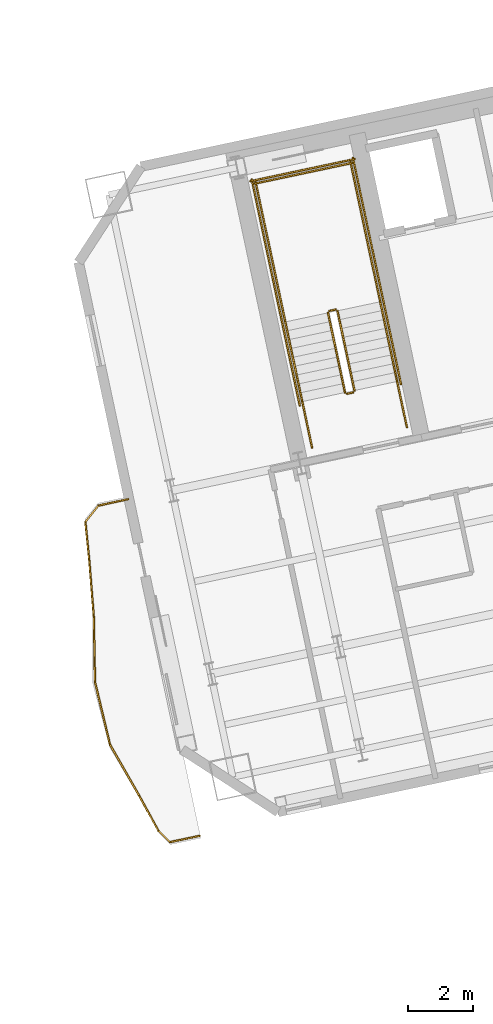
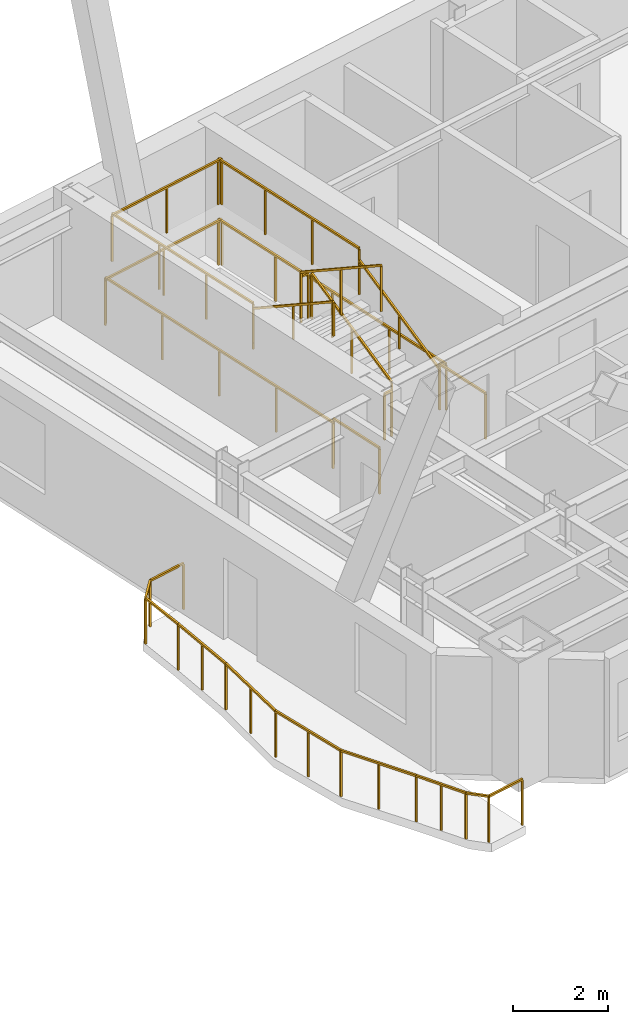
# One storey, part 12 of 13: 24 railings.
"""IFC4 building model written with IfcOpenShell, lengths in metres."""

from ifc_helpers import new_model, si_unit, direction, frame, origin, origin_2d, place, context, subcontext, project, spatial, rectangle, extrude, material, type_object, element, save


model = new_model("IFC4")

# Units and contexts
model_context = context("Model", 3, precision=1e-05, world=origin(), true_north=direction((0.0, 1.0)))
body_context = subcontext(model_context, "Body", "Model", "MODEL_VIEW")
ifc_project = project(units=[si_unit("LENGTHUNIT", "METRE"), si_unit("AREAUNIT", "SQUARE_METRE"), si_unit("VOLUMEUNIT", "CUBIC_METRE"), si_unit("PLANEANGLEUNIT", "RADIAN"), si_unit("MASSUNIT", "GRAM", prefix="KILO")], contexts=[model_context])

# Site, building, storey
site_placement = place(None, origin())
site = spatial("IfcSite", under=ifc_project, at=site_placement, CompositionType="ELEMENT")
building_placement = place(site_placement, origin())
building = spatial("IfcBuilding", under=site, at=building_placement, Name="Haevon Station Towers", CompositionType="ELEMENT")
storey_placement = place(building_placement, frame((0.0, 0.0, 165.89990234375)))
storey = spatial("IfcBuildingStorey", under=building, at=storey_placement, Name="L45", CompositionType="ELEMENT", Elevation=165.89990234375)

# Railings
ifc_material = material(Name="Steel S355", Category="steel")
railing_type_1 = type_object("IfcRailingType", Name="GRD-EXT1200", PredefinedType="GUARDRAIL", material=ifc_material)
railing_1_placement = place(storey_placement, frame((93.44384765625, 36.33154296875, 0.0)))
element("IfcRailing", 1, at=railing_1_placement, inside=storey, type_object=railing_type_1, Name="L45 Perimeter Guardrail 1", PredefinedType="GUARDRAIL", context=body_context, shape_type="SweptSolid", body=[
    extrude(rectangle(XDim=0.048095703125, YDim=0.048095703125, at=origin_2d()), frame((0.0, 0.0, 1.17578125), z_axis=(-0.977684892297, -0.210076774952, 0.0), x_axis=(0.210076774952, -0.977684892297, 0.0)), (0.0, 0.0, 1.0), 0.943603515625),
    extrude(rectangle(XDim=0.0419921875, YDim=0.0419921875, at=origin_2d()), origin(), (0.0, 0.0, 1.0), 1.15185546875),
    extrude(rectangle(XDim=0.0419921875, YDim=0.0419921875, at=origin_2d()), frame((-0.922607421875, -0.1982421875, 0.0)), (0.0, 0.0, 1.0), 1.15185546875),
])
railing_2_placement = place(storey_placement, frame((92.521240234375, 36.13330078125, 0.0)))
element("IfcRailing", 2, at=railing_2_placement, inside=storey, type_object=railing_type_1, Name="L45 Perimeter Guardrail 2", PredefinedType="GUARDRAIL", context=body_context, shape_type="SweptSolid", body=[
    extrude(rectangle(XDim=0.048095703125, YDim=0.048095703125, at=origin_2d()), frame((0.0, 0.0, 1.17578125), z_axis=(-0.622202546772, -0.782856302773, 0.0), x_axis=(0.782856302773, -0.622202546772, 0.0)), (0.0, 0.0, 1.0), 0.645751953125),
    extrude(rectangle(XDim=0.0419921875, YDim=0.0419921875, at=origin_2d()), origin(), (0.0, 0.0, 1.0), 1.15185546875),
    extrude(rectangle(XDim=0.0419921875, YDim=0.0419921875, at=origin_2d()), frame((-0.40185546875, -0.505615234375, 0.0)), (0.0, 0.0, 1.0), 1.15185546875),
])
railing_3_placement = place(storey_placement, frame((92.119384765625, 35.627685546875, 0.0)))
element("IfcRailing", 3, at=railing_3_placement, inside=storey, type_object=railing_type_1, Name="L45 Perimeter Guardrail 3", PredefinedType="GUARDRAIL", context=body_context, shape_type="SweptSolid", body=[
    extrude(rectangle(XDim=0.048095703125, YDim=0.048095703125, at=origin_2d()), frame((0.0, 0.0, 1.17578125), z_axis=(0.100776535208, -0.994909086274, 0.0), x_axis=(0.994909086274, 0.100776535208, 0.0)), (0.0, 0.0, 1.0), 1.177490234375),
    extrude(rectangle(XDim=0.0419921875, YDim=0.0419921875, at=origin_2d()), origin(), (0.0, 0.0, 1.0), 1.15185546875),
    extrude(rectangle(XDim=0.0419921875, YDim=0.0419921875, at=origin_2d()), frame((0.11865234375, -1.17138671875, 0.0)), (0.0, 0.0, 1.0), 1.15185546875),
])
railing_4_placement = place(storey_placement, frame((92.238037109375, 34.456298828125, 0.0)))
element("IfcRailing", 4, at=railing_4_placement, inside=storey, type_object=railing_type_1, Name="L45 Perimeter Guardrail 4", PredefinedType="GUARDRAIL", context=body_context, shape_type="SweptSolid", body=[
    extrude(rectangle(XDim=0.048095703125, YDim=0.048095703125, at=origin_2d()), frame((0.0, 0.0, 1.17578125), z_axis=(0.080135783241, -0.996783956655, 0.0), x_axis=(0.996783956655, 0.080135783241, 0.0)), (0.0, 0.0, 1.0), 1.763916015625),
    extrude(rectangle(XDim=0.0419921875, YDim=0.0419921875, at=origin_2d()), origin(), (0.0, 0.0, 1.0), 1.15185546875),
    extrude(rectangle(XDim=0.0419921875, YDim=0.0419921875, at=origin_2d()), frame((0.07080078125, -0.879150390625, 0.0)), (0.0, 0.0, 1.0), 1.15185546875),
    extrude(rectangle(XDim=0.0419921875, YDim=0.0419921875, at=origin_2d()), frame((0.141357421875, -1.75830078125, 0.0)), (0.0, 0.0, 1.0), 1.15185546875),
])
railing_5_placement = place(storey_placement, frame((92.37939453125, 32.697998046875, 0.0)))
element("IfcRailing", 5, at=railing_5_placement, inside=storey, type_object=railing_type_1, Name="L45 Perimeter Guardrail 5", PredefinedType="GUARDRAIL", context=body_context, shape_type="SweptSolid", body=[
    extrude(rectangle(XDim=0.048095703125, YDim=0.048095703125, at=origin_2d()), frame((0.0, 0.0, 1.17578125), z_axis=(0.018557729268, -0.999827790514, 0.0), x_axis=(0.999827790514, 0.018557729268, 0.0)), (0.0, 0.0, 1.0), 2.02587890625),
    extrude(rectangle(XDim=0.0419921875, YDim=0.0419921875, at=origin_2d()), origin(), (0.0, 0.0, 1.0), 1.15185546875),
    extrude(rectangle(XDim=0.0419921875, YDim=0.0419921875, at=origin_2d()), frame((0.018798828125, -1.0126953125, 0.0)), (0.0, 0.0, 1.0), 1.15185546875),
    extrude(rectangle(XDim=0.0419921875, YDim=0.0419921875, at=origin_2d()), frame((0.03759765625, -2.025634765625, 0.0)), (0.0, 0.0, 1.0), 1.15185546875),
])
railing_6_placement = place(storey_placement, frame((92.4169921875, 30.67236328125, 0.0)))
element("IfcRailing", 6, at=railing_6_placement, inside=storey, type_object=railing_type_1, Name="L45 Perimeter Guardrail 6", PredefinedType="GUARDRAIL", context=body_context, shape_type="SweptSolid", body=[
    extrude(rectangle(XDim=0.048095703125, YDim=0.048095703125, at=origin_2d()), frame((0.0, 0.0, 1.17578125), z_axis=(0.233623019351, -0.972327251922, 0.0), x_axis=(0.972327251922, 0.233623019351, 0.0)), (0.0, 0.0, 1.0), 1.993896484375),
    extrude(rectangle(XDim=0.0419921875, YDim=0.0419921875, at=origin_2d()), origin(), (0.0, 0.0, 1.0), 1.15185546875),
    extrude(rectangle(XDim=0.0419921875, YDim=0.0419921875, at=origin_2d()), frame((0.23291015625, -0.96923828125, 0.0)), (0.0, 0.0, 1.0), 1.15185546875),
    extrude(rectangle(XDim=0.0419921875, YDim=0.0419921875, at=origin_2d()), frame((0.4658203125, -1.938720703125, 0.0)), (0.0, 0.0, 1.0), 1.15185546875),
])
railing_7_placement = place(storey_placement, frame((92.8828125, 28.733642578125, 0.0)))
element("IfcRailing", 7, at=railing_7_placement, inside=storey, type_object=railing_type_1, Name="L45 Perimeter Guardrail 7", PredefinedType="GUARDRAIL", context=body_context, shape_type="SweptSolid", body=[
    extrude(rectangle(XDim=0.048095703125, YDim=0.048095703125, at=origin_2d()), frame((0.0, 0.0, 1.17578125), z_axis=(0.496440147692, -0.868070953183, 0.0), x_axis=(0.868070953183, 0.496440147692, 0.0)), (0.0, 0.0, 1.0), 1.832763671875),
    extrude(rectangle(XDim=0.0419921875, YDim=0.0419921875, at=origin_2d()), origin(), (0.0, 0.0, 1.0), 1.15185546875),
    extrude(rectangle(XDim=0.0419921875, YDim=0.0419921875, at=origin_2d()), frame((0.455078125, -0.79541015625, 0.0)), (0.0, 0.0, 1.0), 1.15185546875),
    extrude(rectangle(XDim=0.0419921875, YDim=0.0419921875, at=origin_2d()), frame((0.909912109375, -1.591064453125, 0.0)), (0.0, 0.0, 1.0), 1.15185546875),
])
railing_8_placement = place(storey_placement, frame((93.792724609375, 27.142578125, 0.0)))
element("IfcRailing", 8, at=railing_8_placement, inside=storey, type_object=railing_type_1, Name="L45 Perimeter Guardrail 8", PredefinedType="GUARDRAIL", context=body_context, shape_type="SweptSolid", body=[
    extrude(rectangle(XDim=0.048095703125, YDim=0.048095703125, at=origin_2d()), frame((0.0, 0.0, 1.17578125), z_axis=(0.482163987032, -0.876080983477, 0.0), x_axis=(0.876080983477, 0.482163987032, 0.0)), (0.0, 0.0, 1.0), 1.222900390625),
    extrude(rectangle(XDim=0.0419921875, YDim=0.0419921875, at=origin_2d()), origin(), (0.0, 0.0, 1.0), 1.15185546875),
    extrude(rectangle(XDim=0.0419921875, YDim=0.0419921875, at=origin_2d()), frame((0.294921875, -0.53564453125, 0.0)), (0.0, 0.0, 1.0), 1.15185546875),
    extrude(rectangle(XDim=0.0419921875, YDim=0.0419921875, at=origin_2d()), frame((0.589599609375, -1.0712890625, 0.0)), (0.0, 0.0, 1.0), 1.15185546875),
])
railing_9_placement = place(storey_placement, frame((94.38232421875, 26.0712890625, 0.0)))
element("IfcRailing", 9, at=railing_9_placement, inside=storey, type_object=railing_type_1, Name="L45 Perimeter Guardrail 9", PredefinedType="GUARDRAIL", context=body_context, shape_type="SweptSolid", body=[
    extrude(rectangle(XDim=0.048095703125, YDim=0.048095703125, at=origin_2d()), frame((0.0, 0.0, 1.17578125), z_axis=(0.712536329819, -0.70163521768, 0.0), x_axis=(0.70163521768, 0.712536329819, 0.0)), (0.0, 0.0, 1.0), 0.49267578125),
    extrude(rectangle(XDim=0.0419921875, YDim=0.0419921875, at=origin_2d()), origin(), (0.0, 0.0, 1.0), 1.15185546875),
    extrude(rectangle(XDim=0.0419921875, YDim=0.0419921875, at=origin_2d()), frame((0.35107421875, -0.345703125, 0.0)), (0.0, 0.0, 1.0), 1.15185546875),
])
railing_10_placement = place(storey_placement, frame((94.7333984375, 25.7255859375, 0.0)))
element("IfcRailing", 10, at=railing_10_placement, inside=storey, type_object=railing_type_1, Name="L45 Perimeter Guardrail 10", PredefinedType="GUARDRAIL", context=body_context, shape_type="SweptSolid", body=[
    extrude(rectangle(XDim=0.048095703125, YDim=0.048095703125, at=origin_2d()), frame((0.0, 0.0, 1.17578125), z_axis=(0.978571736022, 0.205906186062, 0.0), x_axis=(-0.205906186062, 0.978571736022, 0.0)), (0.0, 0.0, 1.0), 0.94384765625),
    extrude(rectangle(XDim=0.0419921875, YDim=0.0419921875, at=origin_2d()), origin(), (0.0, 0.0, 1.0), 1.15185546875),
    extrude(rectangle(XDim=0.0419921875, YDim=0.0419921875, at=origin_2d()), frame((0.923583984375, 0.1943359375, 0.0)), (0.0, 0.0, 1.0), 1.15185546875),
])
railing_type_2 = type_object("IfcRailingType", Name="GRD-STR1200", PredefinedType="GUARDRAIL", material=ifc_material)
railing_11_placement = place(storey_placement, frame((100.44140625, 39.69287109375, 0.1650390625)))
element("IfcRailing", 11, at=railing_11_placement, inside=storey, type_object=railing_type_2, Name="L45 ST3 Stair Guard 1", PredefinedType="GUARDRAIL", context=body_context, shape_type="SweptSolid", body=[
    extrude(rectangle(XDim=0.048095703125, YDim=0.048095703125, at=origin_2d()), frame((0.0, 0.0, 1.17578125), z_axis=(-0.179121265225, 0.842687928106, 0.507732831485), x_axis=(-0.978147030254, -0.207914374695, 0.0)), (0.0, 0.0, 1.0), 2.925048828125),
    extrude(rectangle(XDim=0.0419921875, YDim=0.0419921875, at=origin_2d()), origin(), (0.0, 0.0, 1.0), 1.15185546875),
    extrude(rectangle(XDim=0.0419921875, YDim=0.0419921875, at=origin_2d()), frame((-0.261962890625, 1.232421875, 0.74267578125)), (0.0, 0.0, 1.0), 1.15185546875),
    extrude(rectangle(XDim=0.0419921875, YDim=0.0419921875, at=origin_2d()), frame((-0.52392578125, 2.46484375, 1.485107421875)), (0.0, 0.0, 1.0), 1.15185546875),
])
railing_12_placement = place(storey_placement, frame((99.858154296875, 42.1962890625, 1.650146484375)))
element("IfcRailing", 12, at=railing_12_placement, inside=storey, type_object=railing_type_2, Name="L45 ST3 Stair Guard 2", PredefinedType="GUARDRAIL", context=body_context, shape_type="SweptSolid", body=[
    extrude(rectangle(XDim=0.048095703125, YDim=0.048095703125, at=origin_2d()), frame((0.0, 0.0, 1.17578125), z_axis=(-0.977962931203, -0.208778603291, 0.0), x_axis=(0.208778603291, -0.977962931203, 0.0)), (0.0, 0.0, 1.0), 0.199951171875),
    extrude(rectangle(XDim=0.0419921875, YDim=0.0419921875, at=origin_2d()), origin(), (0.0, 0.0, 1.0), 1.15185546875),
    extrude(rectangle(XDim=0.0419921875, YDim=0.0419921875, at=origin_2d()), frame((-0.195556640625, -0.041748046875, 0.0)), (0.0, 0.0, 1.0), 1.15185546875),
])
railing_13_placement = place(storey_placement, frame((101.238037109375, 42.4384765625, 1.650146484375)))
element("IfcRailing", 13, at=railing_13_placement, inside=storey, type_object=railing_type_2, Name="L45 ST3 Stair Guard 3", PredefinedType="GUARDRAIL", context=body_context, shape_type="SweptSolid", body=[
    extrude(rectangle(XDim=0.048095703125, YDim=0.048095703125, at=origin_2d()), frame((0.0, 0.0, 1.17578125), z_axis=(-0.20794048909, 0.978141479029, 0.0), x_axis=(-0.978141479029, -0.20794048909, 0.0)), (0.0, 0.0, 1.0), 4.429931640625),
    extrude(rectangle(XDim=0.0419921875, YDim=0.0419921875, at=origin_2d()), origin(), (0.0, 0.0, 1.0), 1.15185546875),
    extrude(rectangle(XDim=0.0419921875, YDim=0.0419921875, at=origin_2d()), frame((-0.30712890625, 1.4443359375, 0.0)), (0.0, 0.0, 1.0), 1.15185546875),
    extrude(rectangle(XDim=0.0419921875, YDim=0.0419921875, at=origin_2d()), frame((-0.614013671875, 2.888671875, 0.0)), (0.0, 0.0, 1.0), 1.15185546875),
    extrude(rectangle(XDim=0.0419921875, YDim=0.0419921875, at=origin_2d()), frame((-0.921142578125, 4.3330078125, 0.0)), (0.0, 0.0, 1.0), 1.15185546875),
])
railing_14_placement = place(storey_placement, frame((98.303466796875, 41.814697265625, 1.650146484375)))
element("IfcRailing", 14, at=railing_14_placement, inside=storey, type_object=railing_type_2, Name="L45 ST3 Stair Guard 4", PredefinedType="GUARDRAIL", context=body_context, shape_type="SweptSolid", body=[
    extrude(rectangle(XDim=0.048095703125, YDim=0.048095703125, at=origin_2d()), frame((0.0, 0.0, 1.17578125), z_axis=(-0.207876551949, 0.978155069071, 0.0), x_axis=(-0.978155069071, -0.207876551949, 0.0)), (0.0, 0.0, 1.0), 4.429931640625),
    extrude(rectangle(XDim=0.0419921875, YDim=0.0419921875, at=origin_2d()), origin(), (0.0, 0.0, 1.0), 1.15185546875),
    extrude(rectangle(XDim=0.0419921875, YDim=0.0419921875, at=origin_2d()), frame((-0.306884765625, 1.4443359375, 0.0)), (0.0, 0.0, 1.0), 1.15185546875),
    extrude(rectangle(XDim=0.0419921875, YDim=0.0419921875, at=origin_2d()), frame((-0.614013671875, 2.888916015625, 0.0)), (0.0, 0.0, 1.0), 1.15185546875),
    extrude(rectangle(XDim=0.0419921875, YDim=0.0419921875, at=origin_2d()), frame((-0.9208984375, 4.333251953125, 0.0)), (0.0, 0.0, 1.0), 1.15185546875),
])
railing_15_placement = place(storey_placement, frame((100.376220703125, 46.733154296875, 1.650146484375)))
element("IfcRailing", 15, at=railing_15_placement, inside=storey, type_object=railing_type_2, Name="L45 ST3 Stair Guard 5", PredefinedType="GUARDRAIL", context=body_context, shape_type="SweptSolid", body=[
    extrude(rectangle(XDim=0.048095703125, YDim=0.048095703125, at=origin_2d()), frame((0.0, 0.0, 1.17578125), z_axis=(-0.978146839882, -0.207915270313, 0.0), x_axis=(0.207915270313, -0.978146839882, 0.0)), (0.0, 0.0, 1.0), 3.099853515625),
    extrude(rectangle(XDim=0.0419921875, YDim=0.0419921875, at=origin_2d()), origin(), (0.0, 0.0, 1.0), 1.15185546875),
    extrude(rectangle(XDim=0.0419921875, YDim=0.0419921875, at=origin_2d()), frame((-1.51611328125, -0.322265625, 0.0)), (0.0, 0.0, 1.0), 1.15185546875),
    extrude(rectangle(XDim=0.0419921875, YDim=0.0419921875, at=origin_2d()), frame((-3.0322265625, -0.64453125, 0.0)), (0.0, 0.0, 1.0), 1.15185546875),
])
railing_16_placement = place(storey_placement, frame((99.6240234375, 42.09521484375, 1.815185546875)))
element("IfcRailing", 16, at=railing_16_placement, inside=storey, type_object=railing_type_2, Name="L45 ST3 Stair Guard 6", PredefinedType="GUARDRAIL", context=body_context, shape_type="SweptSolid", body=[
    extrude(rectangle(XDim=0.048095703125, YDim=0.048095703125, at=origin_2d()), frame((0.0, 0.0, 1.17578125), z_axis=(0.179128856099, -0.842723639875, 0.507670877349), x_axis=(0.978147030254, 0.207914374695, 0.0)), (0.0, 0.0, 1.0), 2.9248046875),
    extrude(rectangle(XDim=0.0419921875, YDim=0.0419921875, at=origin_2d()), origin(), (0.0, 0.0, 1.0), 1.15185546875),
    extrude(rectangle(XDim=0.0419921875, YDim=0.0419921875, at=origin_2d()), frame((0.261962890625, -1.232421875, 0.742431640625)), (0.0, 0.0, 1.0), 1.15185546875),
    extrude(rectangle(XDim=0.0419921875, YDim=0.0419921875, at=origin_2d()), frame((0.52392578125, -2.46484375, 1.48486328125)), (0.0, 0.0, 1.0), 1.15185546875),
])
railing_17_placement = place(storey_placement, frame((100.40283203125, 39.633544921875, 0.0)))
element("IfcRailing", 17, at=railing_17_placement, inside=storey, type_object=railing_type_2, Name="L45 ST3 Stair Guard 7", PredefinedType="GUARDRAIL", context=body_context, shape_type="SweptSolid", body=[
    extrude(rectangle(XDim=0.048095703125, YDim=0.048095703125, at=origin_2d()), frame((0.0, 0.0, 1.17578125), z_axis=(-0.977962931203, -0.208778603291, 0.0), x_axis=(0.208778603291, -0.977962931203, 0.0)), (0.0, 0.0, 1.0), 0.199951171875),
    extrude(rectangle(XDim=0.0419921875, YDim=0.0419921875, at=origin_2d()), origin(), (0.0, 0.0, 1.0), 1.15185546875),
    extrude(rectangle(XDim=0.0419921875, YDim=0.0419921875, at=origin_2d()), frame((-0.195556640625, -0.041748046875, 0.0)), (0.0, 0.0, 1.0), 1.15185546875),
])
for number, where, name in (
    (18, (102.0634765625, 38.55517578125, 0.0), "L45 ST3 Stair Guard 8"),
    (19, (99.12890625, 37.931396484375, 0.0), "L45 ST3 Stair Guard 9"),
):
    element("IfcRailing", number, at=place(storey_placement, frame(where)), inside=storey, type_object=railing_type_2, Name=name, PredefinedType="GUARDRAIL", context=body_context, shape_type="SweptSolid", body=[
        extrude(rectangle(XDim=0.048095703125, YDim=0.048095703125, at=origin_2d()), frame((0.0, 0.0, 1.17578125), z_axis=(-0.207953405961, 0.978138732977, 0.0), x_axis=(-0.978138732977, -0.207953405961, 0.0)), (0.0, 0.0, 1.0), 1.449951171875),
        extrude(rectangle(XDim=0.0419921875, YDim=0.0419921875, at=origin_2d()), origin(), (0.0, 0.0, 1.0), 1.15185546875),
        extrude(rectangle(XDim=0.0419921875, YDim=0.0419921875, at=origin_2d()), frame((-0.301513671875, 1.418212890625, 0.0)), (0.0, 0.0, 1.0), 1.15185546875),
    ])
railing_18_placement = place(storey_placement, frame((101.88037109375, 39.896484375, 0.0)))
element("IfcRailing", 20, at=railing_18_placement, inside=storey, type_object=railing_type_2, Name="L45 ST3 Stair Guard 10", PredefinedType="GUARDRAIL", context=body_context, shape_type="SweptSolid", body=[
    extrude(rectangle(XDim=0.048095703125, YDim=0.048095703125, at=origin_2d()), frame((0.0, 0.0, 1.17578125), z_axis=(-0.207882442208, 0.978153817261, 0.0), x_axis=(-0.978153817261, -0.207882442208, 0.0)), (0.0, 0.0, 1.0), 7.14990234375),
    extrude(rectangle(XDim=0.0419921875, YDim=0.0419921875, at=origin_2d()), origin(), (0.0, 0.0, 1.0), 1.15185546875),
    extrude(rectangle(XDim=0.0419921875, YDim=0.0419921875, at=origin_2d()), frame((-0.37158203125, 1.74853515625, 0.0)), (0.0, 0.0, 1.0), 1.15185546875),
    extrude(rectangle(XDim=0.0419921875, YDim=0.0419921875, at=origin_2d()), frame((-0.7431640625, 3.496826171875, 0.0)), (0.0, 0.0, 1.0), 1.15185546875),
    extrude(rectangle(XDim=0.0419921875, YDim=0.0419921875, at=origin_2d()), frame((-1.11474609375, 5.2451171875, 0.0)), (0.0, 0.0, 1.0), 1.15185546875),
    extrude(rectangle(XDim=0.0419921875, YDim=0.0419921875, at=origin_2d()), frame((-1.486328125, 6.99365234375, 0.0)), (0.0, 0.0, 1.0), 1.15185546875),
])
railing_19_placement = place(storey_placement, frame((98.75048828125, 39.231201171875, 0.0)))
element("IfcRailing", 21, at=railing_19_placement, inside=storey, type_object=railing_type_2, Name="L45 ST3 Stair Guard 11", PredefinedType="GUARDRAIL", context=body_context, shape_type="SweptSolid", body=[
    extrude(rectangle(XDim=0.048095703125, YDim=0.048095703125, at=origin_2d()), frame((0.0, 0.0, 1.17578125), z_axis=(-0.207915112487, 0.978146873429, 0.0), x_axis=(-0.978146873429, -0.207915112487, 0.0)), (0.0, 0.0, 1.0), 7.14990234375),
    extrude(rectangle(XDim=0.0419921875, YDim=0.0419921875, at=origin_2d()), origin(), (0.0, 0.0, 1.0), 1.15185546875),
    extrude(rectangle(XDim=0.0419921875, YDim=0.0419921875, at=origin_2d()), frame((-0.37158203125, 1.74853515625, 0.0)), (0.0, 0.0, 1.0), 1.15185546875),
    extrude(rectangle(XDim=0.0419921875, YDim=0.0419921875, at=origin_2d()), frame((-0.7431640625, 3.496826171875, 0.0)), (0.0, 0.0, 1.0), 1.15185546875),
    extrude(rectangle(XDim=0.0419921875, YDim=0.0419921875, at=origin_2d()), frame((-1.114990234375, 5.2451171875, 0.0)), (0.0, 0.0, 1.0), 1.15185546875),
    extrude(rectangle(XDim=0.0419921875, YDim=0.0419921875, at=origin_2d()), frame((-1.486572265625, 6.99365234375, 0.0)), (0.0, 0.0, 1.0), 1.15185546875),
])
railing_20_placement = place(storey_placement, frame((100.453125, 46.8515625, 0.0)))
element("IfcRailing", 22, at=railing_20_placement, inside=storey, type_object=railing_type_2, Name="L45 ST3 Stair Guard 12", PredefinedType="GUARDRAIL", context=body_context, shape_type="SweptSolid", body=[
    extrude(rectangle(XDim=0.048095703125, YDim=0.048095703125, at=origin_2d()), frame((0.0, 0.0, 1.17578125), z_axis=(-0.978150764849, -0.207896804268, 0.0), x_axis=(0.207896804268, -0.978150764849, 0.0)), (0.0, 0.0, 1.0), 3.2998046875),
    extrude(rectangle(XDim=0.0419921875, YDim=0.0419921875, at=origin_2d()), origin(), (0.0, 0.0, 1.0), 1.15185546875),
    extrude(rectangle(XDim=0.0419921875, YDim=0.0419921875, at=origin_2d()), frame((-1.61376953125, -0.343017578125, 0.0)), (0.0, 0.0, 1.0), 1.15185546875),
    extrude(rectangle(XDim=0.0419921875, YDim=0.0419921875, at=origin_2d()), frame((-3.227783203125, -0.68603515625, 0.0)), (0.0, 0.0, 1.0), 1.15185546875),
])
railing_type_3 = type_object("IfcRailingType", Name="HND-STR900", PredefinedType="HANDRAIL", material=ifc_material)
railing_21_placement = place(storey_placement, frame((101.761962890625, 39.973388671875, 0.1650390625)))
element("IfcRailing", 23, at=railing_21_placement, inside=storey, type_object=railing_type_3, Name="L45 ST3 Stair Handrail 1", PredefinedType="HANDRAIL", context=body_context, shape_type="SweptSolid", body=[
    extrude(rectangle(XDim=0.048095703125, YDim=0.048095703125, at=origin_2d()), frame((0.0, 0.0, 0.8759765625), z_axis=(-0.179108667068, 0.842712120868, 0.50769712105), x_axis=(-0.978151217824, -0.207894673017, 0.0)), (0.0, 0.0, 1.0), 2.92529296875),
    extrude(rectangle(XDim=0.0419921875, YDim=0.0419921875, at=origin_2d()), origin(), (0.0, 0.0, 1.0), 0.851806640625),
    extrude(rectangle(XDim=0.0419921875, YDim=0.0419921875, at=origin_2d()), frame((-0.261962890625, 1.232421875, 0.74267578125)), (0.0, 0.0, 1.0), 0.851806640625),
    extrude(rectangle(XDim=0.0419921875, YDim=0.0419921875, at=origin_2d()), frame((-0.52392578125, 2.465087890625, 1.485107421875)), (0.0, 0.0, 1.0), 0.851806640625),
])
railing_22_placement = place(storey_placement, frame((98.303466796875, 41.814697265625, 1.815185546875)))
element("IfcRailing", 24, at=railing_22_placement, inside=storey, type_object=railing_type_3, Name="L45 ST3 Stair Handrail 2", PredefinedType="HANDRAIL", context=body_context, shape_type="SweptSolid", body=[
    extrude(rectangle(XDim=0.048095703125, YDim=0.048095703125, at=origin_2d()), frame((0.0, 0.0, 0.8759765625), z_axis=(0.179116256339, -0.842747828638, 0.507635168246), x_axis=(0.978151217824, 0.207894673017, 0.0)), (0.0, 0.0, 1.0), 2.925048828125),
    extrude(rectangle(XDim=0.0419921875, YDim=0.0419921875, at=origin_2d()), origin(), (0.0, 0.0, 1.0), 0.851806640625),
    extrude(rectangle(XDim=0.0419921875, YDim=0.0419921875, at=origin_2d()), frame((0.261962890625, -1.232421875, 0.742431640625)), (0.0, 0.0, 1.0), 0.851806640625),
    extrude(rectangle(XDim=0.0419921875, YDim=0.0419921875, at=origin_2d()), frame((0.52392578125, -2.465087890625, 1.48486328125)), (0.0, 0.0, 1.0), 0.851806640625),
])

save(model, "model.ifc")
